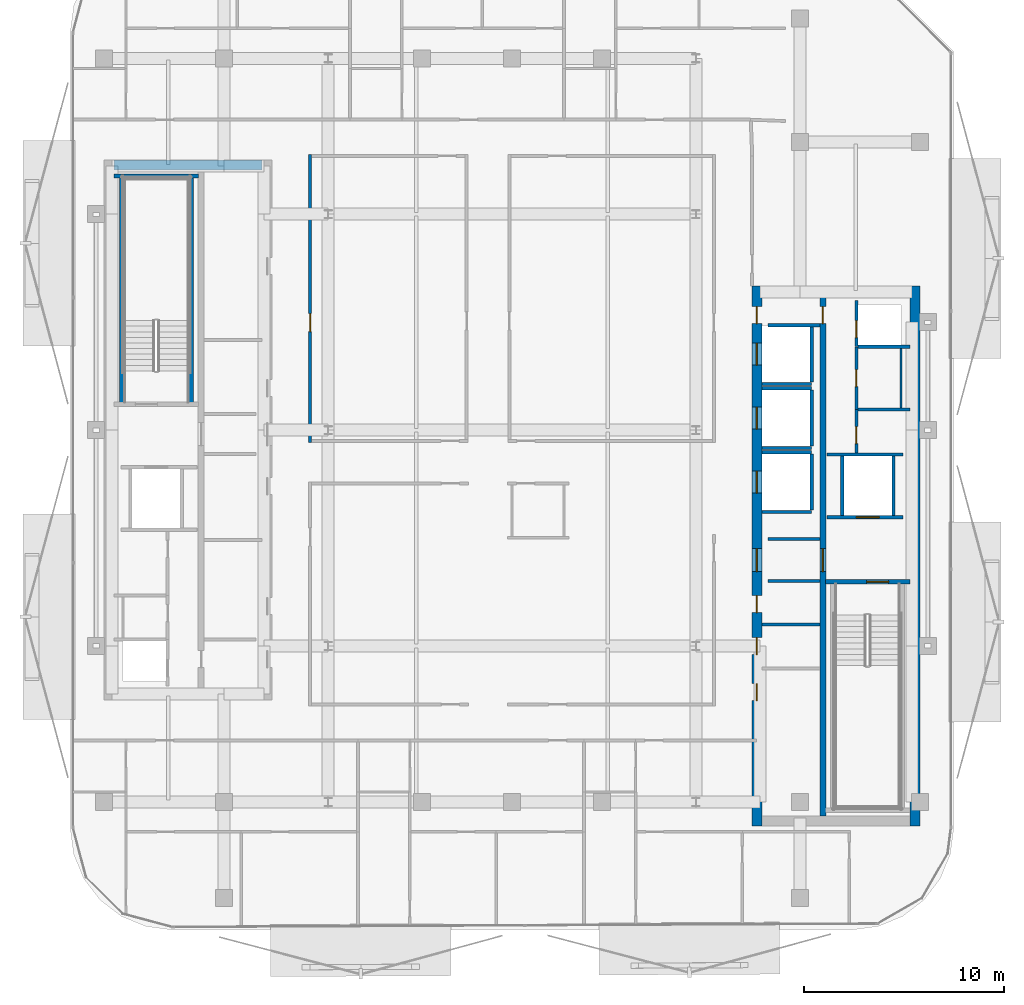
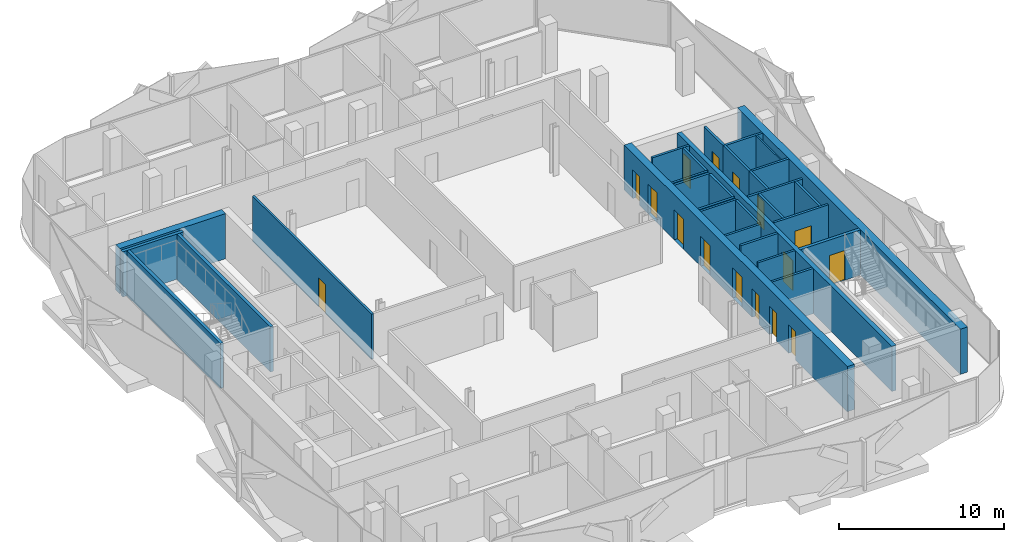
# One storey, part 5 of 16: 31 walls, 16 doors, 16 openings.
"""IFC4 building model written with IfcOpenShell, lengths in metres."""

from ifc_helpers import new_model, si_unit, direction, frame, frame_2d, origin, place, context, subcontext, project, spatial, rectangle, extrude, material, layer, layer_set, type_object, element, fill, save


model = new_model("IFC4")

# Units and contexts
model_context = context("Model", 3, precision=1e-05, world=origin(), true_north=direction((0.0, 1.0)))
body_context = subcontext(model_context, "Body", "Model", "MODEL_VIEW")
ifc_project = project(units=[si_unit("LENGTHUNIT", "METRE"), si_unit("AREAUNIT", "SQUARE_METRE"), si_unit("VOLUMEUNIT", "CUBIC_METRE"), si_unit("PLANEANGLEUNIT", "RADIAN"), si_unit("MASSUNIT", "GRAM", prefix="KILO")], contexts=[model_context])

# Site, building, storey
site_placement = place(None, origin())
site = spatial("IfcSite", under=ifc_project, at=site_placement, CompositionType="ELEMENT")
building_placement = place(site_placement, origin())
building = spatial("IfcBuilding", under=site, at=building_placement, Name="Khairoan Windgate Tower", CompositionType="ELEMENT")
storey_placement = place(building_placement, frame((0.0, 0.0, 247.60009765625)))
storey = spatial("IfcBuildingStorey", under=building, at=storey_placement, Name="L58", CompositionType="ELEMENT", Elevation=247.60009765625)

# Walls
ifc_material_1 = material(Name="Moisture-Resistant Gypsum Partition", Category="gypsum")
ifc_layer_1 = layer(ifc_material_1, 0.10009765625, Name="Moisture-Resistant Gypsum Partition")
ifc_layer_set_1 = layer_set([ifc_layer_1], Name="Moisture-Resistant Gypsum Partition")
wall_type_1 = type_object("IfcWallType", Name="Bathroom Wet-Area Partition Wall", PredefinedType="PARTITIONING", material=ifc_layer_set_1)
wall_1_placement = place(storey_placement, frame((19.449951171875, 4.090087890625, 0.0), z_axis=(0.0, 0.0, 1.0), x_axis=(0.0, -1.0, 0.0)))
element("IfcWall", 1, at=wall_1_placement, inside=storey, type_object=wall_type_1, Name="L58 Wet Room Side Wall 101", PredefinedType="PARTITIONING", context=body_context, shape_type="SweptSolid", body=[
    extrude(rectangle(XDim=2.97998046875, YDim=0.10009765625, at=frame_2d((1.489990234375, 0.0))), origin(), (0.0, 0.0, 1.0), 3.33984375),
])
ifc_material_2 = material(Name="Concrete C40/50", Category="concrete")
ifc_layer_2 = layer(ifc_material_2, 0.159912109375, Name="Concrete C40/50")
ifc_layer_set_2 = layer_set([ifc_layer_2], Name="Concrete C40/50")
wall_type_2 = type_object("IfcWallType", Name="Core and Hoistway Enclosure Wall", PredefinedType="STANDARD", material=ifc_layer_set_2)
wall_2_placement = place(storey_placement, frame((12.5, 2.31005859375, 0.0), z_axis=(0.0, 0.0, 1.0), x_axis=(1.0, 0.0, 0.0)))
element("IfcWall", 2, at=wall_2_placement, inside=storey, type_object=wall_type_2, Name="L58 Lift PL7 Hoistway Divider S", PredefinedType="STANDARD", context=body_context, shape_type="SweptSolid", body=[
    extrude(rectangle(XDim=2.489990234375, YDim=0.159912109375, at=frame_2d((1.2451171875, 0.0))), origin(), (0.0, 0.0, 1.0), 3.33984375),
])
wall_3_placement = place(storey_placement, frame((14.989990234375, 2.39990234375, 0.0), z_axis=(0.0, 0.0, 1.0), x_axis=(0.0, 1.0, 0.0)))
element("IfcWall", 3, at=wall_3_placement, inside=storey, type_object=wall_type_2, Name="L58 Lift PL7 Hoistway Back Wall", PredefinedType="STANDARD", context=body_context, shape_type="SweptSolid", body=[
    extrude(rectangle(XDim=2.800048828125, YDim=0.159912109375, at=frame_2d((1.39990234375, 0.0))), origin(), (0.0, 0.0, 1.0), 3.33984375),
])
for number, where, z_axis, x_axis, name in (
    (4, (12.5, -0.889892578125, 0.0), (0.0, 0.0, 1.0), (1.0, 0.0, 0.0), "L58 Lift PL8 Hoistway Divider S"),
    (5, (12.5, 2.090087890625, 0.0), (0.0, 0.0, 1.0), (1.0, 0.0, 0.0), "L58 Lift PL8 Hoistway Divider N"),
):
    element("IfcWall", number, at=place(storey_placement, frame(where, z_axis=z_axis, x_axis=x_axis)), inside=storey, type_object=wall_type_2, Name=name, PredefinedType="STANDARD", context=body_context, shape_type="SweptSolid", body=[
        extrude(rectangle(XDim=2.489990234375, YDim=0.159912109375, at=frame_2d((1.2451171875, 0.0))), origin(), (0.0, 0.0, 1.0), 3.33984375),
    ])
wall_4_placement = place(storey_placement, frame((14.989990234375, -0.800048828125, 0.0), z_axis=(0.0, 0.0, 1.0), x_axis=(0.0, 1.0, 0.0)))
element("IfcWall", 6, at=wall_4_placement, inside=storey, type_object=wall_type_2, Name="L58 Lift PL8 Hoistway Back Wall", PredefinedType="STANDARD", context=body_context, shape_type="SweptSolid", body=[
    extrude(rectangle(XDim=2.800048828125, YDim=0.159912109375, at=frame_2d((1.39990234375, 0.0))), origin(), (0.0, 0.0, 1.0), 3.33984375),
])
for number, where, z_axis, x_axis, name in (
    (7, (12.5, -4.090087890625, 0.0), (0.0, 0.0, 1.0), (1.0, 0.0, 0.0), "L58 Lift PL9 Hoistway Divider S"),
    (8, (12.5, -1.110107421875, 0.0), (0.0, 0.0, 1.0), (1.0, 0.0, 0.0), "L58 Lift PL9 Hoistway Divider N"),
):
    element("IfcWall", number, at=place(storey_placement, frame(where, z_axis=z_axis, x_axis=x_axis)), inside=storey, type_object=wall_type_2, Name=name, PredefinedType="STANDARD", context=body_context, shape_type="SweptSolid", body=[
        extrude(rectangle(XDim=2.489990234375, YDim=0.159912109375, at=frame_2d((1.2451171875, 0.0))), origin(), (0.0, 0.0, 1.0), 3.33984375),
    ])
wall_5_placement = place(storey_placement, frame((14.989990234375, -4.0, 0.0), z_axis=(0.0, 0.0, 1.0), x_axis=(0.0, 1.0, 0.0)))
element("IfcWall", 9, at=wall_5_placement, inside=storey, type_object=wall_type_2, Name="L58 Lift PL9 Hoistway Back Wall", PredefinedType="STANDARD", context=body_context, shape_type="SweptSolid", body=[
    extrude(rectangle(XDim=2.800048828125, YDim=0.159912109375, at=frame_2d((1.39990234375, 0.0))), origin(), (0.0, 0.0, 1.0), 3.33984375),
])

# Wall, opening, door
wall_6_placement = place(storey_placement, frame((15.75, -4.360107421875, 0.0), z_axis=(0.0, 0.0, 1.0), x_axis=(1.0, 0.0, 0.0)))
wall_6 = element("IfcWall", 10, at=wall_6_placement, inside=storey, type_object=wall_type_2, Name="L58 Core Shaft Wall SW-FL1-L58", PredefinedType="STANDARD", context=body_context, shape_type="SweptSolid", body=[
    extrude(rectangle(XDim=3.800048828125, YDim=0.159912109375, at=frame_2d((1.89990234375, 0.0))), origin(), (0.0, 0.0, 1.0), 3.33984375),
])
opening_1_placement = place(wall_6_placement, frame((1.469970703125, 0.0, 0.0)))
opening_1 = element("IfcOpeningElement", 11, at=opening_1_placement, cuts=wall_6, Name="Opening LD-FL", PredefinedType="OPENING", context=body_context, shape_type="SweptSolid", body=[
    extrude(rectangle(XDim=1.14990234375, YDim=2.199951171875, at=frame_2d((0.574951171875, 1.10009765625))), frame((0.0, 0.08984375, 0.0), z_axis=(0.0, -1.0, 0.0), x_axis=(1.0, 0.0, 0.0)), (0.0, 0.0, 1.0), 0.179931640625),
])
ifc_material_3 = material(Name="Steel S355", Category="steel")
door_type_1 = type_object("IfcDoorType", Name="Firefighting Lift Sliding Landing Door LD-FL 1150x2200", OperationType="DOUBLE_DOOR_SLIDING", PredefinedType="DOOR", material=ifc_material_3)
door_1_placement = place(opening_1_placement, origin())
door_1 = element("IfcDoor", 12, at=door_1_placement, inside=storey, type_object=door_type_1, Name="L58 Firefighting Lift FL1 Landing Door", OperationType="DOUBLE_DOOR_SLIDING", OverallHeight=2.199951171875, OverallWidth=1.14990234375, PredefinedType="DOOR", context=body_context, shape_type="SweptSolid", body=[
    extrude(rectangle(XDim=1.14990234375, YDim=2.199951171875, at=frame_2d((0.574951171875, 1.10009765625))), frame((0.0, 0.02490234375, 0.0), z_axis=(0.0, -1.0, 0.0), x_axis=(1.0, 0.0, 0.0)), (0.0, 0.0, 1.0), 0.050048828125),
])
fill(opening_1, door_1)

# Walls
wall_7_placement = place(storey_placement, frame((15.75, -1.219970703125, 0.0), z_axis=(0.0, 0.0, 1.0), x_axis=(1.0, 0.0, 0.0)))
element("IfcWall", 13, at=wall_7_placement, inside=storey, type_object=wall_type_2, Name="L58 Core Shaft Wall SW-FL1T-L58", PredefinedType="STANDARD", context=body_context, shape_type="SweptSolid", body=[
    extrude(rectangle(XDim=3.800048828125, YDim=0.159912109375, at=frame_2d((1.89990234375, 0.0))), origin(), (0.0, 0.0, 1.0), 3.33984375),
])
for number, where, z_axis, x_axis, name in (
    (14, (16.52001953125, -4.280029296875, 0.0), (0.0, 0.0, 1.0), (0.0, 1.0, 0.0), "L58 Core Shaft Wall SW-FL1W-L58"),
    (15, (19.080078125, -4.280029296875, 0.0), (0.0, 0.0, 1.0), (0.0, 1.0, 0.0), "L58 Core Shaft Wall SW-FL1E-L58"),
):
    element("IfcWall", number, at=place(storey_placement, frame(where, z_axis=z_axis, x_axis=x_axis)), inside=storey, type_object=wall_type_2, Name=name, PredefinedType="STANDARD", context=body_context, shape_type="SweptSolid", body=[
        extrude(rectangle(XDim=2.97998046875, YDim=0.159912109375, at=frame_2d((1.489990234375, 0.0))), origin(), (0.0, 0.0, 1.0), 3.33984375),
    ])
for number, where, z_axis, x_axis, name in (
    (16, (12.800048828125, -5.449951171875, 0.0), (0.0, 0.0, 1.0), (1.0, 0.0, 0.0), "L58 Core Shaft Wall SW-EV1-L58"),
    (17, (12.800048828125, -7.5400390625, 0.0), (0.0, 0.0, 1.0), (1.0, 0.0, 0.0), "L58 Core Shaft Wall SW-EV2-L58"),
    (18, (12.800048828125, 5.25, 0.0), (0.0, 0.0, 1.0), (1.0, 0.0, 0.0), "L58 Core Shaft Wall SW-ESV-L58"),
):
    element("IfcWall", number, at=place(storey_placement, frame(where, z_axis=z_axis, x_axis=x_axis)), inside=storey, type_object=wall_type_2, Name=name, PredefinedType="STANDARD", context=body_context, shape_type="SweptSolid", body=[
        extrude(rectangle(XDim=2.599853515625, YDim=0.159912109375, at=frame_2d((1.2998046875, 0.0))), origin(), (0.0, 0.0, 1.0), 3.33984375),
    ])

# Wall, opening, door
ifc_material_4 = material(Name="Concrete C40/50", Category="concrete")
ifc_layer_3 = layer(ifc_material_4, 0.159912109375, Name="Concrete C40/50")
ifc_layer_set_3 = layer_set([ifc_layer_3], Name="Concrete C40/50")
wall_type_3 = type_object("IfcWallType", Name="Plant and Refuge Compartment Wall", PredefinedType="PARTITIONING", material=ifc_layer_set_3)
wall_8_placement = place(storey_placement, frame((17.22998046875, 4.169921875, 0.0), z_axis=(0.0, 0.0, 1.0), x_axis=(0.0, 1.0, 0.0)))
wall_8 = element("IfcWall", 19, at=wall_8_placement, inside=storey, type_object=wall_type_3, Name="L58 Interior Partition 008", PredefinedType="PARTITIONING", context=body_context, shape_type="SweptSolid", body=[
    extrude(rectangle(XDim=2.320068359375, YDim=0.159912109375, at=frame_2d((1.16015625, 0.0))), origin(), (0.0, 0.0, 1.0), 3.33984375),
])
opening_2_placement = place(wall_8_placement, frame((0.4599609375, 0.0, 0.0)))
opening_2 = element("IfcOpeningElement", 20, at=opening_2_placement, cuts=wall_8, Name="Opening FD-SRV", PredefinedType="OPENING", context=body_context, shape_type="SweptSolid", body=[
    extrude(rectangle(XDim=0.85009765625, YDim=2.10009765625, at=frame_2d((0.425048828125, 1.050048828125))), frame((0.0, 0.08984375, 0.0), z_axis=(0.0, -1.0, 0.0), x_axis=(1.0, 0.0, 0.0)), (0.0, 0.0, 1.0), 0.179931640625),
])
ifc_material_5 = material(Name="Steel S355", Category="steel")
door_type_2 = type_object("IfcDoorType", Name="Core Service and Riser Fire Door FD-SRV 850x2100", OperationType="NOTDEFINED", PredefinedType="DOOR", material=ifc_material_5)
door_2_placement = place(opening_2_placement, origin())
door_2 = element("IfcDoor", 21, at=door_2_placement, inside=storey, type_object=door_type_2, Name="L58 L58-17-L58-18 Door", OperationType="SINGLE_SWING_LEFT", OverallHeight=2.10009765625, OverallWidth=0.85009765625, PredefinedType="DOOR", context=body_context, shape_type="SweptSolid", body=[
    extrude(rectangle(XDim=0.85009765625, YDim=2.10009765625, at=frame_2d((0.425048828125, 1.050048828125))), frame((0.0, 0.02490234375, 0.0), z_axis=(0.0, -1.0, 0.0), x_axis=(1.0, 0.0, 0.0)), (0.0, 0.0, 1.0), 0.050048828125),
])
fill(opening_2, door_2)

wall_9_placement = place(storey_placement, frame((17.22998046875, -1.139892578125, 0.0), z_axis=(0.0, 0.0, 1.0), x_axis=(0.0, 1.0, 0.0)))
wall_9 = element("IfcWall", 22, at=wall_9_placement, inside=storey, type_object=wall_type_3, Name="L58 Interior Partition 009", PredefinedType="PARTITIONING", context=body_context, shape_type="SweptSolid", body=[
    extrude(rectangle(XDim=2.169921875, YDim=0.159912109375, at=frame_2d((1.0849609375, 0.0))), origin(), (0.0, 0.0, 1.0), 3.33984375),
])
opening_3_placement = place(wall_9_placement, frame((0.4599609375, 0.0, 0.0)))
opening_3 = element("IfcOpeningElement", 23, at=opening_3_placement, cuts=wall_9, Name="Opening FD-SRV", PredefinedType="OPENING", context=body_context, shape_type="SweptSolid", body=[
    extrude(rectangle(XDim=0.85009765625, YDim=2.10009765625, at=frame_2d((0.425048828125, 1.050048828125))), frame((0.0, 0.08984375, 0.0), z_axis=(0.0, -1.0, 0.0), x_axis=(1.0, 0.0, 0.0)), (0.0, 0.0, 1.0), 0.179931640625),
])
door_3_placement = place(opening_3_placement, origin())
door_3 = element("IfcDoor", 24, at=door_3_placement, inside=storey, type_object=door_type_2, Name="L58 L58-17-L58-19 Door", OperationType="SINGLE_SWING_RIGHT", OverallHeight=2.10009765625, OverallWidth=0.85009765625, PredefinedType="DOOR", context=body_context, shape_type="SweptSolid", body=[
    extrude(rectangle(XDim=0.85009765625, YDim=2.10009765625, at=frame_2d((0.425048828125, 1.050048828125))), frame((0.0, 0.02490234375, 0.0), z_axis=(0.0, -1.0, 0.0), x_axis=(1.0, 0.0, 0.0)), (0.0, 0.0, 1.0), 0.050048828125),
])
fill(opening_3, door_3)

wall_10_placement = place(storey_placement, frame((17.22998046875, 1.030029296875, 0.0), z_axis=(0.0, 0.0, 1.0), x_axis=(0.0, 1.0, 0.0)))
wall_10 = element("IfcWall", 25, at=wall_10_placement, inside=storey, type_object=wall_type_3, Name="L58 Interior Partition 010", PredefinedType="PARTITIONING", context=body_context, shape_type="SweptSolid", body=[
    extrude(rectangle(XDim=3.139892578125, YDim=0.159912109375, at=frame_2d((1.56982421875, 0.0))), origin(), (0.0, 0.0, 1.0), 3.33984375),
])
opening_4_placement = place(wall_10_placement, frame((1.14501953125, 0.0, 0.0)))
opening_4 = element("IfcOpeningElement", 26, at=opening_4_placement, cuts=wall_10, Name="Opening FD-SRV", PredefinedType="OPENING", context=body_context, shape_type="SweptSolid", body=[
    extrude(rectangle(XDim=0.85009765625, YDim=2.10009765625, at=frame_2d((0.425048828125, 1.050048828125))), frame((0.0, 0.08984375, 0.0), z_axis=(0.0, -1.0, 0.0), x_axis=(1.0, 0.0, 0.0)), (0.0, 0.0, 1.0), 0.179931640625),
])
door_4_placement = place(opening_4_placement, origin())
door_4 = element("IfcDoor", 27, at=door_4_placement, inside=storey, type_object=door_type_2, Name="L58 L58-17-L58-20 Door", OperationType="SINGLE_SWING_LEFT", OverallHeight=2.10009765625, OverallWidth=0.85009765625, PredefinedType="DOOR", context=body_context, shape_type="SweptSolid", body=[
    extrude(rectangle(XDim=0.85009765625, YDim=2.10009765625, at=frame_2d((0.425048828125, 1.050048828125))), frame((0.0, 0.02490234375, 0.0), z_axis=(0.0, -1.0, 0.0), x_axis=(1.0, 0.0, 0.0)), (0.0, 0.0, 1.0), 0.050048828125),
])
fill(opening_4, door_4)

# Walls
for number, where, z_axis, x_axis, name in (
    (28, (17.31005859375, 4.169921875, 0.0), (0.0, 0.0, 1.0), (1.0, 0.0, 0.0), "L58 Interior Partition 011"),
    (29, (17.31005859375, 1.030029296875, 0.0), (0.0, 0.0, 1.0), (1.0, 0.0, 0.0), "L58 Interior Partition 012"),
):
    element("IfcWall", number, at=place(storey_placement, frame(where, z_axis=z_axis, x_axis=x_axis)), inside=storey, type_object=wall_type_3, Name=name, PredefinedType="PARTITIONING", context=body_context, shape_type="SweptSolid", body=[
        extrude(rectangle(XDim=2.58984375, YDim=0.159912109375, at=frame_2d((1.294921875, 0.0))), origin(), (0.0, 0.0, 1.0), 3.33984375),
    ])
wall_11_placement = place(storey_placement, frame((12.5, -9.719970703125, 0.0), z_axis=(0.0, 0.0, 1.0), x_axis=(1.0, 0.0, 0.0)))
element("IfcWall", 30, at=wall_11_placement, inside=storey, type_object=wall_type_3, Name="L58 Interior Partition 014", PredefinedType="PARTITIONING", context=body_context, shape_type="SweptSolid", body=[
    extrude(rectangle(XDim=2.89990234375, YDim=0.159912109375, at=frame_2d((1.449951171875, 0.0))), origin(), (0.0, 0.0, 1.0), 3.33984375),
])

# Wall, opening, door
ifc_material_6 = material(Name="Acoustic Fire-Rated Gypsum Partition", Category="gypsum")
ifc_layer_4 = layer(ifc_material_6, 0.14990234375, Name="Acoustic Fire-Rated Gypsum Partition")
ifc_layer_set_4 = layer_set([ifc_layer_4], Name="Acoustic Fire-Rated Gypsum Partition")
wall_type_4 = type_object("IfcWallType", Name="Rated Corridor Partition Wall", PredefinedType="PARTITIONING", material=ifc_layer_set_4)
wall_12_placement = place(storey_placement, frame((-10.10009765625, -0.610107421875, 0.0), z_axis=(0.0, 0.0, 1.0), x_axis=(0.0, 1.0, 0.0)))
wall_12 = element("IfcWall", 31, at=wall_12_placement, inside=storey, type_object=wall_type_4, Name="L58 Interior Partition 015", PredefinedType="PARTITIONING", context=body_context, shape_type="SweptSolid", body=[
    extrude(rectangle(XDim=14.405029296875, YDim=0.14990234375, at=frame_2d((7.20263671875, 0.0))), origin(), (0.0, 0.0, 1.0), 3.33984375),
])
opening_5_placement = place(wall_12_placement, frame((5.53466796875, 0.0, 0.0)))
opening_5 = element("IfcOpeningElement", 32, at=opening_5_placement, cuts=wall_12, Name="Opening FD-ENT", PredefinedType="OPENING", context=body_context, shape_type="SweptSolid", body=[
    extrude(rectangle(XDim=0.89990234375, YDim=2.14990234375, at=frame_2d((0.449951171875, 1.074951171875))), frame((0.0, 0.0849609375, 0.0), z_axis=(0.0, -1.0, 0.0), x_axis=(1.0, 0.0, 0.0)), (0.0, 0.0, 1.0), 0.169921875),
])
ifc_material_7 = material(Name="Timber Fire-Rated Core", Category="wood")
door_type_3 = type_object("IfcDoorType", Name="Unit and Office Fire Entrance Door FD-ENT 900x2150", OperationType="NOTDEFINED", PredefinedType="DOOR", material=ifc_material_7)
door_5_placement = place(opening_5_placement, origin())
door_5 = element("IfcDoor", 33, at=door_5_placement, inside=storey, type_object=door_type_3, Name="L58 L58-29-L58-67 Door", OperationType="SINGLE_SWING_RIGHT", OverallHeight=2.14990234375, OverallWidth=0.89990234375, PredefinedType="DOOR", context=body_context, shape_type="SweptSolid", body=[
    extrude(rectangle(XDim=0.89990234375, YDim=2.14990234375, at=frame_2d((0.449951171875, 1.074951171875))), frame((0.0, 0.02490234375, 0.0), z_axis=(0.0, -1.0, 0.0), x_axis=(1.0, 0.0, 0.0)), (0.0, 0.0, 1.0), 0.050048828125),
])
fill(opening_5, door_5)

# Wall, openings, doors
ifc_material_8 = material(Name="Concrete C50/60", Category="concrete")
ifc_layer_5 = layer(ifc_material_8, 0.5, Name="Concrete C50/60")
ifc_layer_set_5 = layer_set([ifc_layer_5], Name="Concrete C50/60")
wall_type_5 = type_object("IfcWallType", Name="Shear Wall CW-E3 500mm", PredefinedType="SHEAR", material=ifc_layer_set_5)
wall_13_placement = place(storey_placement, frame((12.25, -19.800048828125, 0.0), z_axis=(0.0, 0.0, 1.0), x_axis=(0.0, 1.0, 0.0)))
wall_13 = element("IfcWall", 34, at=wall_13_placement, inside=storey, type_object=wall_type_5, Name="E Core West Shear Wall L58", PredefinedType="SHEAR", context=body_context, shape_type="SweptSolid", body=[
    extrude(rectangle(XDim=27.0, YDim=0.5, at=frame_2d((13.5, 0.0))), origin(), (0.0, 0.0, 1.0), 3.33984375),
])
opening_6_placement = place(wall_13_placement, frame((23.050048828125, 0.0, 0.0)))
opening_6 = element("IfcOpeningElement", 35, at=opening_6_placement, cuts=wall_13, Name="Opening LD-PL", PredefinedType="OPENING", context=body_context, shape_type="SweptSolid", body=[
    extrude(rectangle(XDim=1.10009765625, YDim=2.199951171875, at=frame_2d((0.550048828125, 1.10009765625))), frame((0.0, 0.260009765625, 0.0), z_axis=(0.0, -1.0, 0.0), x_axis=(1.0, 0.0, 0.0)), (0.0, 0.0, 1.0), 0.52001953125),
])
opening_7_placement = place(wall_13_placement, frame((19.85009765625, 0.0, 0.0)))
opening_7 = element("IfcOpeningElement", 36, at=opening_7_placement, cuts=wall_13, Name="Opening LD-PL", PredefinedType="OPENING", context=body_context, shape_type="SweptSolid", body=[
    extrude(rectangle(XDim=1.10009765625, YDim=2.199951171875, at=frame_2d((0.550048828125, 1.10009765625))), frame((0.0, 0.260009765625, 0.0), z_axis=(0.0, -1.0, 0.0), x_axis=(1.0, 0.0, 0.0)), (0.0, 0.0, 1.0), 0.52001953125),
])
opening_8_placement = place(wall_13_placement, frame((16.64990234375, 0.0, 0.0)))
opening_8 = element("IfcOpeningElement", 37, at=opening_8_placement, cuts=wall_13, Name="Opening LD-PL", PredefinedType="OPENING", context=body_context, shape_type="SweptSolid", body=[
    extrude(rectangle(XDim=1.10009765625, YDim=2.199951171875, at=frame_2d((0.550048828125, 1.10009765625))), frame((0.0, 0.260009765625, 0.0), z_axis=(0.0, -1.0, 0.0), x_axis=(1.0, 0.0, 0.0)), (0.0, 0.0, 1.0), 0.52001953125),
])
opening_9_placement = place(wall_13_placement, frame((6.27490234375, 0.0, 0.0)))
opening_9 = element("IfcOpeningElement", 38, at=opening_9_placement, cuts=wall_13, Name="Opening FD-SRV", PredefinedType="OPENING", context=body_context, shape_type="SweptSolid", body=[
    extrude(rectangle(XDim=0.85009765625, YDim=2.10009765625, at=frame_2d((0.425048828125, 1.050048828125))), frame((0.0, 0.260009765625, 0.0), z_axis=(0.0, -1.0, 0.0), x_axis=(1.0, 0.0, 0.0)), (0.0, 0.0, 1.0), 0.52001953125),
])
opening_10_placement = place(wall_13_placement, frame((8.574951171875, 0.0, 0.0)))
opening_10 = element("IfcOpeningElement", 39, at=opening_10_placement, cuts=wall_13, Name="Opening FD-SRV", PredefinedType="OPENING", context=body_context, shape_type="SweptSolid", body=[
    extrude(rectangle(XDim=0.85009765625, YDim=2.10009765625, at=frame_2d((0.425048828125, 1.050048828125))), frame((0.0, 0.260009765625, 0.0), z_axis=(0.0, -1.0, 0.0), x_axis=(1.0, 0.0, 0.0)), (0.0, 0.0, 1.0), 0.52001953125),
])
opening_11_placement = place(wall_13_placement, frame((10.675048828125, 0.0, 0.0)))
opening_11 = element("IfcOpeningElement", 40, at=opening_11_placement, cuts=wall_13, Name="Opening FD-SRV", PredefinedType="OPENING", context=body_context, shape_type="SweptSolid", body=[
    extrude(rectangle(XDim=0.85009765625, YDim=2.10009765625, at=frame_2d((0.425048828125, 1.050048828125))), frame((0.0, 0.260009765625, 0.0), z_axis=(0.0, -1.0, 0.0), x_axis=(1.0, 0.0, 0.0)), (0.0, 0.0, 1.0), 0.52001953125),
])
opening_12_placement = place(wall_13_placement, frame((12.72509765625, 0.0, 0.0)))
opening_12 = element("IfcOpeningElement", 41, at=opening_12_placement, cuts=wall_13, Name="Opening FD-FFL", PredefinedType="OPENING", context=body_context, shape_type="SweptSolid", body=[
    extrude(rectangle(XDim=1.14990234375, YDim=2.199951171875, at=frame_2d((0.574951171875, 1.10009765625))), frame((0.0, 0.260009765625, 0.0), z_axis=(0.0, -1.0, 0.0), x_axis=(1.0, 0.0, 0.0)), (0.0, 0.0, 1.0), 0.52001953125),
])
opening_13_placement = place(wall_13_placement, frame((25.125, 0.0, 0.0)))
opening_13 = element("IfcOpeningElement", 42, at=opening_13_placement, cuts=wall_13, Name="Opening FD-SRV", PredefinedType="OPENING", context=body_context, shape_type="SweptSolid", body=[
    extrude(rectangle(XDim=0.85009765625, YDim=2.10009765625, at=frame_2d((0.425048828125, 1.050048828125))), frame((0.0, 0.260009765625, 0.0), z_axis=(0.0, -1.0, 0.0), x_axis=(1.0, 0.0, 0.0)), (0.0, 0.0, 1.0), 0.52001953125),
])
door_6_placement = place(opening_9_placement, origin())
door_6 = element("IfcDoor", 43, at=door_6_placement, inside=storey, type_object=door_type_2, Name="L58 East Core Service Room Door 1", OperationType="SINGLE_SWING_LEFT", OverallHeight=2.10009765625, OverallWidth=0.85009765625, PredefinedType="DOOR", context=body_context, shape_type="SweptSolid", body=[
    extrude(rectangle(XDim=0.85009765625, YDim=2.10009765625, at=frame_2d((0.425048828125, 1.050048828125))), frame((0.0, 0.02490234375, 0.0), z_axis=(0.0, -1.0, 0.0), x_axis=(1.0, 0.0, 0.0)), (0.0, 0.0, 1.0), 0.050048828125),
])
fill(opening_9, door_6)
door_7_placement = place(opening_10_placement, origin())
door_7 = element("IfcDoor", 44, at=door_7_placement, inside=storey, type_object=door_type_2, Name="L58 East Core Service Room Door 2", OperationType="SINGLE_SWING_RIGHT", OverallHeight=2.10009765625, OverallWidth=0.85009765625, PredefinedType="DOOR", context=body_context, shape_type="SweptSolid", body=[
    extrude(rectangle(XDim=0.85009765625, YDim=2.10009765625, at=frame_2d((0.425048828125, 1.050048828125))), frame((0.0, 0.02490234375, 0.0), z_axis=(0.0, -1.0, 0.0), x_axis=(1.0, 0.0, 0.0)), (0.0, 0.0, 1.0), 0.050048828125),
])
fill(opening_10, door_7)
door_8_placement = place(opening_11_placement, origin())
door_8 = element("IfcDoor", 45, at=door_8_placement, inside=storey, type_object=door_type_2, Name="L58 East Core Service Room Door 3", OperationType="SINGLE_SWING_LEFT", OverallHeight=2.10009765625, OverallWidth=0.85009765625, PredefinedType="DOOR", context=body_context, shape_type="SweptSolid", body=[
    extrude(rectangle(XDim=0.85009765625, YDim=2.10009765625, at=frame_2d((0.425048828125, 1.050048828125))), frame((0.0, 0.02490234375, 0.0), z_axis=(0.0, -1.0, 0.0), x_axis=(1.0, 0.0, 0.0)), (0.0, 0.0, 1.0), 0.050048828125),
])
fill(opening_11, door_8)
door_9_placement = place(opening_13_placement, origin())
door_9 = element("IfcDoor", 46, at=door_9_placement, inside=storey, type_object=door_type_2, Name="L58 East Core Service Vestibule Outer Door", OperationType="SINGLE_SWING_RIGHT", OverallHeight=2.10009765625, OverallWidth=0.85009765625, PredefinedType="DOOR", context=body_context, shape_type="SweptSolid", body=[
    extrude(rectangle(XDim=0.85009765625, YDim=2.10009765625, at=frame_2d((0.425048828125, 1.050048828125))), frame((0.0, 0.02490234375, 0.0), z_axis=(0.0, -1.0, 0.0), x_axis=(1.0, 0.0, 0.0)), (0.0, 0.0, 1.0), 0.050048828125),
])
fill(opening_13, door_9)
ifc_material_9 = material(Name="Steel S355", Category="steel")
door_type_4 = type_object("IfcDoorType", Name="Firefighting Lobby Fire Door FD-FFL 1150x2200", OperationType="NOTDEFINED", PredefinedType="DOOR", material=ifc_material_9)
door_10_placement = place(opening_12_placement, origin())
door_10 = element("IfcDoor", 47, at=door_10_placement, inside=storey, type_object=door_type_4, Name="L58 East Core Vestibule Entry Door", OperationType="SINGLE_SWING_RIGHT", OverallHeight=2.199951171875, OverallWidth=1.14990234375, PredefinedType="DOOR", context=body_context, shape_type="SweptSolid", body=[
    extrude(rectangle(XDim=1.14990234375, YDim=2.199951171875, at=frame_2d((0.574951171875, 1.10009765625))), frame((0.0, 0.02490234375, 0.0), z_axis=(0.0, -1.0, 0.0), x_axis=(1.0, 0.0, 0.0)), (0.0, 0.0, 1.0), 0.050048828125),
])
fill(opening_12, door_10)
ifc_material_10 = material(Name="Anodised Bronze Aluminium 6063-T6", Category="aluminium")
door_type_5 = type_object("IfcDoorType", Name="Passenger Lift Sliding Landing Door LD-PL 1100x2200", OperationType="DOUBLE_DOOR_SLIDING", PredefinedType="DOOR", material=ifc_material_10)
door_11_placement = place(opening_6_placement, origin())
door_11 = element("IfcDoor", 48, at=door_11_placement, inside=storey, type_object=door_type_5, Name="L58 Lift PL7 Sliding Landing Door", OperationType="DOUBLE_DOOR_SLIDING", OverallHeight=2.199951171875, OverallWidth=1.10009765625, PredefinedType="DOOR", context=body_context, shape_type="SweptSolid", body=[
    extrude(rectangle(XDim=1.10009765625, YDim=2.199951171875, at=frame_2d((0.550048828125, 1.10009765625))), frame((0.0, 0.02490234375, 0.0), z_axis=(0.0, -1.0, 0.0), x_axis=(1.0, 0.0, 0.0)), (0.0, 0.0, 1.0), 0.050048828125),
])
fill(opening_6, door_11)
door_12_placement = place(opening_7_placement, origin())
door_12 = element("IfcDoor", 49, at=door_12_placement, inside=storey, type_object=door_type_5, Name="L58 Lift PL8 Sliding Landing Door", OperationType="DOUBLE_DOOR_SLIDING", OverallHeight=2.199951171875, OverallWidth=1.10009765625, PredefinedType="DOOR", context=body_context, shape_type="SweptSolid", body=[
    extrude(rectangle(XDim=1.10009765625, YDim=2.199951171875, at=frame_2d((0.550048828125, 1.10009765625))), frame((0.0, 0.02490234375, 0.0), z_axis=(0.0, -1.0, 0.0), x_axis=(1.0, 0.0, 0.0)), (0.0, 0.0, 1.0), 0.050048828125),
])
fill(opening_7, door_12)
door_13_placement = place(opening_8_placement, origin())
door_13 = element("IfcDoor", 50, at=door_13_placement, inside=storey, type_object=door_type_5, Name="L58 Lift PL9 Sliding Landing Door", OperationType="DOUBLE_DOOR_SLIDING", OverallHeight=2.199951171875, OverallWidth=1.10009765625, PredefinedType="DOOR", context=body_context, shape_type="SweptSolid", body=[
    extrude(rectangle(XDim=1.10009765625, YDim=2.199951171875, at=frame_2d((0.550048828125, 1.10009765625))), frame((0.0, 0.02490234375, 0.0), z_axis=(0.0, -1.0, 0.0), x_axis=(1.0, 0.0, 0.0)), (0.0, 0.0, 1.0), 0.050048828125),
])
fill(opening_8, door_13)

# Walls
wall_14_placement = place(storey_placement, frame((20.14990234375, -19.800048828125, 0.0), z_axis=(0.0, 0.0, 1.0), x_axis=(0.0, 1.0, 0.0)))
element("IfcWall", 51, at=wall_14_placement, inside=storey, type_object=wall_type_5, Name="E Core East Shear Wall L58", PredefinedType="SHEAR", context=body_context, shape_type="SweptSolid", body=[
    extrude(rectangle(XDim=27.0, YDim=0.5, at=frame_2d((13.5, 0.0))), origin(), (0.0, 0.0, 1.0), 3.33984375),
])
ifc_material_11 = material(Name="Concrete C50/60", Category="concrete")
ifc_layer_6 = layer(ifc_material_11, 0.5, Name="Concrete C50/60")
ifc_layer_set_6 = layer_set([ifc_layer_6], Name="Concrete C50/60")
wall_type_6 = type_object("IfcWallType", Name="Shear Wall CW-W3 500mm", PredefinedType="SHEAR", material=ifc_layer_set_6)
wall_15_placement = place(storey_placement, frame((-19.89990234375, 13.25, 0.0), z_axis=(0.0, 0.0, 1.0), x_axis=(1.0, 0.0, 0.0)))
element("IfcWall", 52, at=wall_15_placement, inside=storey, type_object=wall_type_6, Name="W Core North Shear Wall L58", PredefinedType="SHEAR", context=body_context, shape_type="SweptSolid", body=[
    extrude(rectangle(XDim=7.39990234375, YDim=0.5, at=frame_2d((3.699951171875, 0.0))), origin(), (0.0, 0.0, 1.0), 3.33984375),
])

# Wall, openings, doors
ifc_material_12 = material(Name="Concrete C50/60", Category="concrete")
ifc_layer_7 = layer(ifc_material_12, 0.300048828125, Name="Concrete C50/60")
ifc_layer_set_7 = layer_set([ifc_layer_7], Name="Concrete C50/60")
wall_type_7 = type_object("IfcWallType", Name="Shear Wall SW-2 300mm", PredefinedType="SHEAR", material=ifc_layer_set_7)
wall_16_placement = place(storey_placement, frame((15.550048828125, -19.300048828125, 0.0), z_axis=(0.0, 0.0, 1.0), x_axis=(0.0, 1.0, 0.0)))
wall_16 = element("IfcWall", 53, at=wall_16_placement, inside=storey, type_object=wall_type_7, Name="E Core Spine Shear Wall L58", PredefinedType="SHEAR", context=body_context, shape_type="SweptSolid", body=[
    extrude(rectangle(XDim=26.0, YDim=0.300048828125, at=frame_2d((13.0, 0.0))), origin(), (0.0, 0.0, 1.0), 3.33984375),
])
opening_14_placement = place(wall_16_placement, frame((12.22509765625, 0.0, 0.0)))
opening_14 = element("IfcOpeningElement", 54, at=opening_14_placement, cuts=wall_16, Name="Opening FD-FFL", PredefinedType="OPENING", context=body_context, shape_type="SweptSolid", body=[
    extrude(rectangle(XDim=1.14990234375, YDim=2.199951171875, at=frame_2d((0.574951171875, 1.10009765625))), frame((0.0, 0.159912109375, 0.0), z_axis=(0.0, -1.0, 0.0), x_axis=(1.0, 0.0, 0.0)), (0.0, 0.0, 1.0), 0.320068359375),
])
opening_15_placement = place(wall_16_placement, frame((24.625, 0.0, 0.0)))
opening_15 = element("IfcOpeningElement", 55, at=opening_15_placement, cuts=wall_16, Name="Opening FD-SRV", PredefinedType="OPENING", context=body_context, shape_type="SweptSolid", body=[
    extrude(rectangle(XDim=0.85009765625, YDim=2.10009765625, at=frame_2d((0.425048828125, 1.050048828125))), frame((0.0, 0.159912109375, 0.0), z_axis=(0.0, -1.0, 0.0), x_axis=(1.0, 0.0, 0.0)), (0.0, 0.0, 1.0), 0.320068359375),
])
door_14_placement = place(opening_15_placement, origin())
door_14 = element("IfcDoor", 56, at=door_14_placement, inside=storey, type_object=door_type_2, Name="L58 East Core Service Passage Inner Door", OperationType="SINGLE_SWING_LEFT", OverallHeight=2.10009765625, OverallWidth=0.85009765625, PredefinedType="DOOR", context=body_context, shape_type="SweptSolid", body=[
    extrude(rectangle(XDim=0.85009765625, YDim=2.10009765625, at=frame_2d((0.425048828125, 1.050048828125))), frame((0.0, 0.02490234375, 0.0), z_axis=(0.0, -1.0, 0.0), x_axis=(1.0, 0.0, 0.0)), (0.0, 0.0, 1.0), 0.050048828125),
])
fill(opening_15, door_14)
door_15_placement = place(opening_14_placement, origin())
door_15 = element("IfcDoor", 57, at=door_15_placement, inside=storey, type_object=door_type_4, Name="L58 East Firefighting Lobby Fire Door", OperationType="SINGLE_SWING_LEFT", OverallHeight=2.199951171875, OverallWidth=1.14990234375, PredefinedType="DOOR", context=body_context, shape_type="SweptSolid", body=[
    extrude(rectangle(XDim=1.14990234375, YDim=2.199951171875, at=frame_2d((0.574951171875, 1.10009765625))), frame((0.0, 0.02490234375, 0.0), z_axis=(0.0, -1.0, 0.0), x_axis=(1.0, 0.0, 0.0)), (0.0, 0.0, 1.0), 0.050048828125),
])
fill(opening_14, door_15)

# Wall, opening, door
ifc_material_13 = material(Name="Concrete C50/60", Category="concrete")
ifc_layer_8 = layer(ifc_material_13, 0.219970703125, Name="Concrete C50/60")
ifc_layer_set_8 = layer_set([ifc_layer_8], Name="Concrete C50/60")
wall_type_8 = type_object("IfcWallType", Name="Shear Wall SW-ST 220mm", PredefinedType="SHEAR", material=ifc_layer_set_8)
wall_17_placement = place(storey_placement, frame((19.919921875, -7.590087890625, 0.0), z_axis=(0.0, 0.0, 1.0), x_axis=(-1.0, 0.0, 0.0)))
wall_17 = element("IfcWall", 58, at=wall_17_placement, inside=storey, type_object=wall_type_8, Name="L58 Stair ST1 North Bearing Wall", PredefinedType="SHEAR", context=body_context, shape_type="SweptSolid", body=[
    extrude(rectangle(XDim=4.239990234375, YDim=0.219970703125, at=frame_2d((2.1201171875, 0.0))), origin(), (0.0, 0.0, 1.0), 3.33984375),
])
opening_16_placement = place(wall_17_placement, frame((1.080078125, 0.0, 0.0)))
opening_16 = element("IfcOpeningElement", 59, at=opening_16_placement, cuts=wall_17, Name="Opening FD-ST", PredefinedType="OPENING", context=body_context, shape_type="SweptSolid", body=[
    extrude(rectangle(XDim=1.10009765625, YDim=2.199951171875, at=frame_2d((0.550048828125, 1.10009765625))), frame((0.0, 0.119873046875, 0.0), z_axis=(0.0, -1.0, 0.0), x_axis=(1.0, 0.0, 0.0)), (0.0, 0.0, 1.0), 0.239990234375),
])
ifc_material_14 = material(Name="Steel S355", Category="steel")
door_type_6 = type_object("IfcDoorType", Name="Smokeproof Stair Fire Door FD-ST 1100x2200", OperationType="NOTDEFINED", PredefinedType="DOOR", material=ifc_material_14)
door_16_placement = place(opening_16_placement, origin())
door_16 = element("IfcDoor", 60, at=door_16_placement, inside=storey, type_object=door_type_6, Name="L58 Stair ST1 Fire Door", OperationType="SINGLE_SWING_LEFT", OverallHeight=2.199951171875, OverallWidth=1.10009765625, PredefinedType="DOOR", context=body_context, shape_type="SweptSolid", body=[
    extrude(rectangle(XDim=1.10009765625, YDim=2.199951171875, at=frame_2d((0.550048828125, 1.10009765625))), frame((0.0, 0.02490234375, 0.0), z_axis=(0.0, -1.0, 0.0), x_axis=(1.0, 0.0, 0.0)), (0.0, 0.0, 1.0), 0.050048828125),
])
fill(opening_16, door_16)

# Walls
for number, where, z_axis, x_axis, name in (
    (61, (-16.0400390625, 1.2900390625, 0.0), (0.0, 0.0, 1.0), (0.0, 1.0, 0.0), "L58 Stair ST2 East Bearing Wall"),
    (62, (-19.530029296875, 1.2900390625, 0.0), (0.0, 0.0, 1.0), (0.0, 1.0, 0.0), "L58 Stair ST2 West Bearing Wall"),
):
    element("IfcWall", number, at=place(storey_placement, frame(where, z_axis=z_axis, x_axis=x_axis)), inside=storey, type_object=wall_type_8, Name=name, PredefinedType="SHEAR", context=body_context, shape_type="SweptSolid", body=[
        extrude(rectangle(XDim=11.419921875, YDim=0.219970703125, at=frame_2d((5.7099609375, 0.0))), origin(), (0.0, 0.0, 1.0), 3.33984375),
    ])
wall_18_placement = place(storey_placement, frame((-19.919921875, 12.7099609375, 0.0), z_axis=(0.0, 0.0, 1.0), x_axis=(1.0, 0.0, 0.0)))
element("IfcWall", 63, at=wall_18_placement, inside=storey, type_object=wall_type_8, Name="L58 Stair ST2 North Bearing Wall", PredefinedType="SHEAR", context=body_context, shape_type="SweptSolid", body=[
    extrude(rectangle(XDim=4.239990234375, YDim=0.219970703125, at=frame_2d((2.1201171875, 0.0))), origin(), (0.0, 0.0, 1.0), 3.33984375),
])

save(model, "model.ifc")
